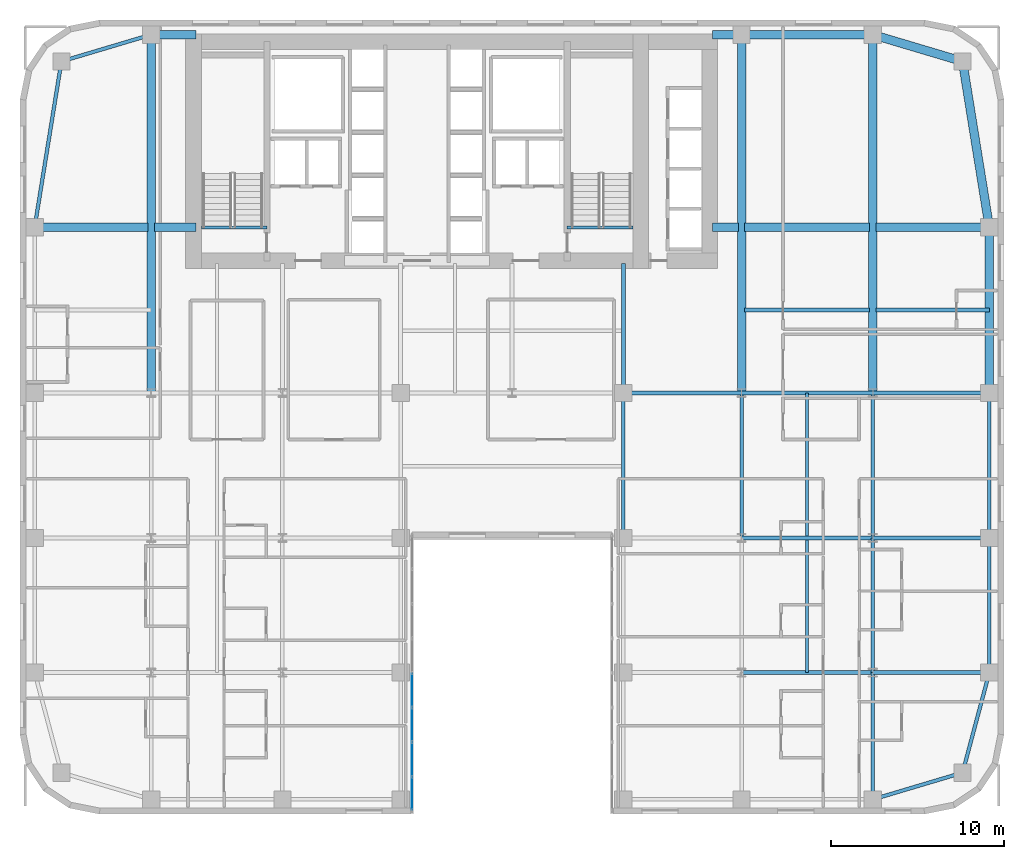
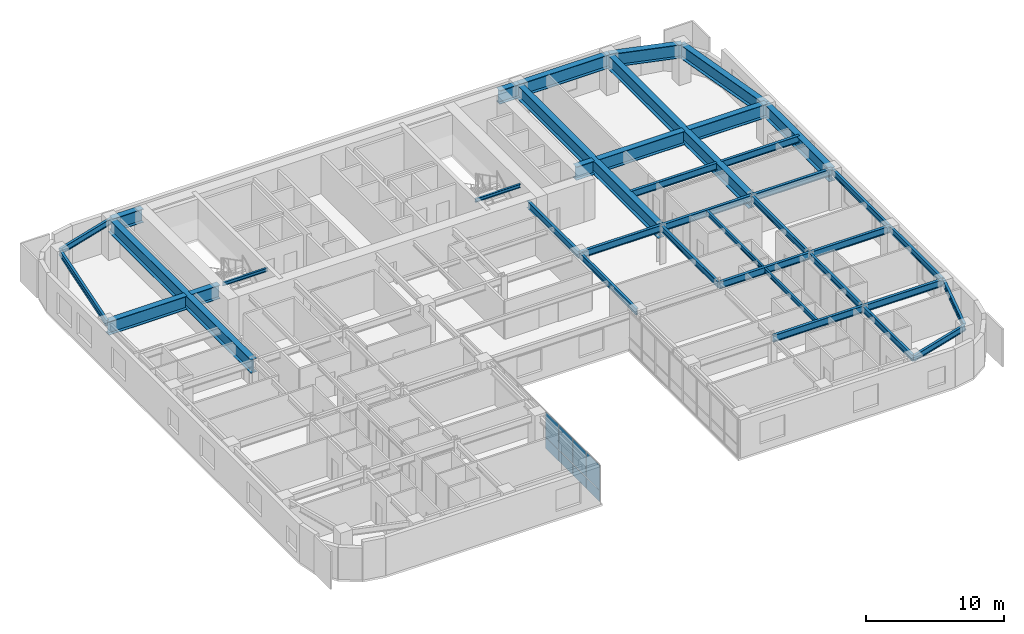
# One storey, part 8 of 17: 39 beams, 8 plates, 1 element without a shape of its own.
"""IFC4 building model written with IfcOpenShell, lengths in metres."""

from ifc_helpers import new_model, si_unit, direction, frame, origin, origin_2d, place, context, subcontext, project, spatial, rectangle, i_section, extrude, source, transform, mapped, material, layer, layer_set, material_profile, profile_set, type_object, type_shapes, element, aggregate, save


model = new_model("IFC4")

# Units and contexts
model_context = context("Model", 3, precision=1e-05, world=origin(), true_north=direction((0.0, 1.0)))
body_context = subcontext(model_context, "Body", "Model", "MODEL_VIEW")
ifc_project = project(units=[si_unit("LENGTHUNIT", "METRE"), si_unit("AREAUNIT", "SQUARE_METRE"), si_unit("VOLUMEUNIT", "CUBIC_METRE"), si_unit("PLANEANGLEUNIT", "RADIAN"), si_unit("MASSUNIT", "GRAM", prefix="KILO")], contexts=[model_context])

# Site, building, storey
site_placement = place(None, origin())
site = spatial("IfcSite", under=ifc_project, at=site_placement, CompositionType="ELEMENT")
building_placement = place(site_placement, origin())
building = spatial("IfcBuilding", under=site, at=building_placement, Name="Tolvann Quenvar Hotel", CompositionType="ELEMENT")
storey_placement = place(building_placement, frame((0.0, 0.0, 42.64990234375)))
storey = spatial("IfcBuildingStorey", under=building, at=storey_placement, Name="L09", CompositionType="ELEMENT", Elevation=42.64990234375)

# Beams
ifc_material_1 = material(Name="Steel Grade 350", Category="steel")
ifc_material_profile_1 = material_profile(ifc_material_1, i_section(OverallWidth=0.5, OverallDepth=1.199951171875, WebThickness=0.01611328125, FlangeThickness=0.0400390625, at=origin_2d()), Name="1200WB455")
ifc_profile_set_1 = profile_set([ifc_material_profile_1], Name="Steel Grade 350")
beam_type_1 = type_object("IfcBeamType", Name="BM_TG_1200WB455", PredefinedType="USERDEFINED", material=ifc_profile_set_1)
shared_shape_1 = source(origin(), body_context, "Body", "SweptSolid", [
    extrude(i_section(OverallWidth=0.5, OverallDepth=1.199951171875, WebThickness=0.01611328125, FlangeThickness=0.0400390625, at=origin_2d()), origin(), (0.0, 0.0, 1.0), 7.599853515625),
])
beam_1_placement = place(storey_placement, frame((49.39990234375, 45.14990234375, 2.77001953125), z_axis=(-1.0, 0.0, 0.0), x_axis=(0.0, -1.0, 0.0)))
element("IfcBeam", 1, at=beam_1_placement, inside=storey, type_object=beam_type_1, Name="BM-L09-FLK-E4", ObjectType="TRANSFER GIRDER", PredefinedType="USERDEFINED", context=body_context, shape_type="MappedRepresentation", body=[
    mapped(shared_shape_1, transform((0.0, 0.0, 0.0), x_axis=(1.0, 0.0, 0.0), y_axis=(0.0, 1.0, 0.0), z_axis=(0.0, 0.0, 1.0), scale=1.0)),
])
shared_shape_2 = source(origin(), body_context, "Body", "SweptSolid", [
    extrude(i_section(OverallWidth=0.5, OverallDepth=1.199951171875, WebThickness=0.01611328125, FlangeThickness=0.0400390625, at=origin_2d()), origin(), (0.0, 0.0, 1.0), 9.60009765625),
])
beam_2_placement = place(storey_placement, frame((56.14990234375, 24.39990234375, 2.77001953125), z_axis=(0.0, 1.0, 0.0), x_axis=(-1.0, 0.0, 0.0)))
element("IfcBeam", 2, at=beam_2_placement, inside=storey, type_object=beam_type_1, Name="BM-L09-FLK-E1", ObjectType="TRANSFER GIRDER", PredefinedType="USERDEFINED", context=body_context, shape_type="MappedRepresentation", body=[
    mapped(shared_shape_2, transform((0.0, 0.0, 0.0), x_axis=(1.0, 0.0, 0.0), y_axis=(0.0, 1.0, 0.0), z_axis=(0.0, 0.0, 1.0), scale=1.0)),
])
ifc_material_profile_2 = material_profile(ifc_material_1, i_section(OverallWidth=0.208984375, OverallDepth=0.528076171875, WebThickness=0.009521484375, FlangeThickness=0.01318359375, FilletRadius=0.013916015625, at=origin_2d()), Name="530UB82")
ifc_profile_set_2 = profile_set([ifc_material_profile_2], Name="Steel Grade 350")
beam_type_2 = type_object("IfcBeamType", Name="BM_SPAND_530UB82", PredefinedType="SPANDREL", material=ifc_profile_set_2)
shared_shape_3 = source(origin(), body_context, "Body", "SweptSolid", [
    extrude(i_section(OverallWidth=0.208984375, OverallDepth=0.528076171875, WebThickness=0.009521484375, FlangeThickness=0.01318359375, FilletRadius=0.013916015625, at=origin_2d()), origin(), (0.0, 0.0, 1.0), 5.42626953125),
])
for number, where, z_axis, x_axis, name in (
    (3, (49.39990234375, 0.85009765625, 3.106201171875), (0.958344815522, 0.285613750654, 0.0), (-0.285613750654, 0.958344815522, 0.0), "BM-L09-EW-2-I2-J2"),
    (4, (2.39990234375, 43.60009765625, 3.106201171875), (0.958344815522, 0.285613750654, 0.0), (-0.285613750654, 0.958344815522, 0.0), "BM-L09-FLK-W3"),
):
    element("IfcBeam", number, at=place(storey_placement, frame(where, z_axis=z_axis, x_axis=x_axis)), inside=storey, type_object=beam_type_2, Name=name, PredefinedType="SPANDREL", context=body_context, shape_type="MappedRepresentation", body=[
        mapped(shared_shape_3, transform((0.0, 0.0, 0.0), x_axis=(1.0, 0.0, 0.0), y_axis=(0.0, 1.0, 0.0), z_axis=(0.0, 0.0, 1.0), scale=1.0)),
    ])
ifc_material_profile_3 = material_profile(ifc_material_1, i_section(OverallWidth=0.22900390625, OverallDepth=0.612060546875, WebThickness=0.011962890625, FlangeThickness=0.01953125, FilletRadius=0.013916015625, at=origin_2d()), Name="610UB125")
ifc_profile_set_3 = profile_set([ifc_material_profile_3], Name="Steel Grade 350")
beam_type_3 = type_object("IfcBeamType", Name="BM_GIRD_610UB125", PredefinedType="BEAM", material=ifc_profile_set_3)
shared_shape_4 = source(origin(), body_context, "Body", "SweptSolid", [
    extrude(i_section(OverallWidth=0.22900390625, OverallDepth=0.612060546875, WebThickness=0.011962890625, FlangeThickness=0.01953125, FilletRadius=0.013916015625, at=origin_2d()), origin(), (0.0, 0.0, 1.0), 6.75),
])
for number, where, z_axis, x_axis, name in (
    (5, (49.39990234375, 8.199951171875, 3.064208984375), (1.0, 0.0, 0.0), (0.0, 1.0, 0.0), "BM-L09-EW-3-I3-J3"),
    (6, (49.39990234375, 16.0, 3.064208984375), (1.0, 0.0, 0.0), (0.0, 1.0, 0.0), "BM-L09-EW-4-I4-J4"),
    (7, (49.39990234375, 24.39990234375, 3.064208984375), (1.0, 0.0, 0.0), (0.0, 1.0, 0.0), "BM-L09-EW-5-I5-J5"),
):
    element("IfcBeam", number, at=place(storey_placement, frame(where, z_axis=z_axis, x_axis=x_axis)), inside=storey, type_object=beam_type_3, Name=name, PredefinedType="BEAM", context=body_context, shape_type="MappedRepresentation", body=[
        mapped(shared_shape_4, transform((0.0, 0.0, 0.0), x_axis=(1.0, 0.0, 0.0), y_axis=(0.0, 1.0, 0.0), z_axis=(0.0, 0.0, 1.0), scale=1.0)),
    ])
shared_shape_5 = source(origin(), body_context, "Body", "SweptSolid", [
    extrude(i_section(OverallWidth=0.22900390625, OverallDepth=0.612060546875, WebThickness=0.011962890625, FlangeThickness=0.01953125, FilletRadius=0.013916015625, at=origin_2d()), origin(), (0.0, 0.0, 1.0), 7.599853515625),
])
for number, where, z_axis, x_axis, name in (
    (8, (41.800048828125, 8.199951171875, 3.064208984375), (1.0, 0.0, 0.0), (0.0, 1.0, 0.0), "BM-L09-EW-3-H3-I3"),
    (9, (41.800048828125, 16.0, 3.064208984375), (1.0, 0.0, 0.0), (0.0, 1.0, 0.0), "BM-L09-EW-4-H4-I4"),
    (10, (41.800048828125, 24.39990234375, 3.064208984375), (1.0, 0.0, 0.0), (0.0, 1.0, 0.0), "BM-L09-EW-5-H5-I5"),
):
    element("IfcBeam", number, at=place(storey_placement, frame(where, z_axis=z_axis, x_axis=x_axis)), inside=storey, type_object=beam_type_3, Name=name, PredefinedType="BEAM", context=body_context, shape_type="MappedRepresentation", body=[
        mapped(shared_shape_5, transform((0.0, 0.0, 0.0), x_axis=(1.0, 0.0, 0.0), y_axis=(0.0, 1.0, 0.0), z_axis=(0.0, 0.0, 1.0), scale=1.0)),
    ])
shared_shape_6 = source(origin(), body_context, "Body", "SweptSolid", [
    extrude(i_section(OverallWidth=0.22900390625, OverallDepth=0.612060546875, WebThickness=0.011962890625, FlangeThickness=0.01953125, FilletRadius=0.013916015625, at=origin_2d()), origin(), (0.0, 0.0, 1.0), 6.85009765625),
])
beam_3_placement = place(storey_placement, frame((34.949951171875, 24.39990234375, 3.064208984375), z_axis=(1.0, 0.0, 0.0), x_axis=(0.0, 1.0, 0.0)))
element("IfcBeam", 11, at=beam_3_placement, inside=storey, type_object=beam_type_3, Name="BM-L09-EW-5-F5-H5", PredefinedType="BEAM", context=body_context, shape_type="MappedRepresentation", body=[
    mapped(shared_shape_6, transform((0.0, 0.0, 0.0), x_axis=(1.0, 0.0, 0.0), y_axis=(0.0, 1.0, 0.0), z_axis=(0.0, 0.0, 1.0), scale=1.0)),
])
shared_shape_7 = source(origin(), body_context, "Body", "SweptSolid", [
    extrude(i_section(OverallWidth=0.208984375, OverallDepth=0.528076171875, WebThickness=0.009521484375, FlangeThickness=0.01318359375, FilletRadius=0.013916015625, at=origin_2d()), origin(), (0.0, 0.0, 1.0), 6.00341796875),
])
beam_4_placement = place(storey_placement, frame((54.60009765625, 2.39990234375, 3.106201171875), z_axis=(0.258148586649, 0.966105225745, 0.0), x_axis=(-0.966105225745, 0.258148586649, 0.0)))
element("IfcBeam", 12, at=beam_4_placement, inside=storey, type_object=beam_type_2, Name="BM-L09-NS-J2-J3", PredefinedType="SPANDREL", context=body_context, shape_type="MappedRepresentation", body=[
    mapped(shared_shape_7, transform((0.0, 0.0, 0.0), x_axis=(1.0, 0.0, 0.0), y_axis=(0.0, 1.0, 0.0), z_axis=(0.0, 0.0, 1.0), scale=1.0)),
])
shared_shape_8 = source(origin(), body_context, "Body", "SweptSolid", [
    extrude(i_section(OverallWidth=0.208984375, OverallDepth=0.528076171875, WebThickness=0.009521484375, FlangeThickness=0.01318359375, FilletRadius=0.013916015625, at=origin_2d()), origin(), (0.0, 0.0, 1.0), 7.800048828125),
])
beam_5_placement = place(storey_placement, frame((56.14990234375, 8.199951171875, 3.106201171875), z_axis=(0.0, 1.0, 0.0), x_axis=(-1.0, 0.0, 0.0)))
element("IfcBeam", 13, at=beam_5_placement, inside=storey, type_object=beam_type_2, Name="BM-L09-NS-J3-J4", PredefinedType="SPANDREL", context=body_context, shape_type="MappedRepresentation", body=[
    mapped(shared_shape_8, transform((0.0, 0.0, 0.0), x_axis=(1.0, 0.0, 0.0), y_axis=(0.0, 1.0, 0.0), z_axis=(0.0, 0.0, 1.0), scale=1.0)),
])
shared_shape_9 = source(origin(), body_context, "Body", "SweptSolid", [
    extrude(i_section(OverallWidth=0.208984375, OverallDepth=0.528076171875, WebThickness=0.009521484375, FlangeThickness=0.01318359375, FilletRadius=0.013916015625, at=origin_2d()), origin(), (0.0, 0.0, 1.0), 8.39990234375),
])
beam_6_placement = place(storey_placement, frame((56.14990234375, 16.0, 3.106201171875), z_axis=(0.0, 1.0, 0.0), x_axis=(-1.0, 0.0, 0.0)))
element("IfcBeam", 14, at=beam_6_placement, inside=storey, type_object=beam_type_2, Name="BM-L09-NS-J4-J5", PredefinedType="SPANDREL", context=body_context, shape_type="MappedRepresentation", body=[
    mapped(shared_shape_9, transform((0.0, 0.0, 0.0), x_axis=(1.0, 0.0, 0.0), y_axis=(0.0, 1.0, 0.0), z_axis=(0.0, 0.0, 1.0), scale=1.0)),
])
ifc_material_profile_4 = material_profile(ifc_material_1, i_section(OverallWidth=0.208984375, OverallDepth=0.532958984375, WebThickness=0.01025390625, FlangeThickness=0.015625, FilletRadius=0.013916015625, at=origin_2d()), Name="530UB92")
ifc_profile_set_4 = profile_set([ifc_material_profile_4], Name="Steel Grade 350")
beam_type_4 = type_object("IfcBeamType", Name="BM_GIRD_530UB92", PredefinedType="BEAM", material=ifc_profile_set_4)
shared_shape_10 = source(origin(), body_context, "Body", "SweptSolid", [
    extrude(i_section(OverallWidth=0.208984375, OverallDepth=0.532958984375, WebThickness=0.01025390625, FlangeThickness=0.015625, FilletRadius=0.013916015625, at=origin_2d()), origin(), (0.0, 0.0, 1.0), 7.349853515625),
])
beam_7_placement = place(storey_placement, frame((49.39990234375, 0.85009765625, 3.103515625), z_axis=(0.0, 1.0, 0.0), x_axis=(-1.0, 0.0, 0.0)))
element("IfcBeam", 15, at=beam_7_placement, inside=storey, type_object=beam_type_4, Name="BM-L09-NS-I2-I3", PredefinedType="BEAM", context=body_context, shape_type="MappedRepresentation", body=[
    mapped(shared_shape_10, transform((0.0, 0.0, 0.0), x_axis=(1.0, 0.0, 0.0), y_axis=(0.0, 1.0, 0.0), z_axis=(0.0, 0.0, 1.0), scale=1.0)),
])
shared_shape_11 = source(origin(), body_context, "Body", "SweptSolid", [
    extrude(i_section(OverallWidth=0.208984375, OverallDepth=0.532958984375, WebThickness=0.01025390625, FlangeThickness=0.015625, FilletRadius=0.013916015625, at=origin_2d()), origin(), (0.0, 0.0, 1.0), 7.800048828125),
])
beam_8_placement = place(storey_placement, frame((49.39990234375, 8.199951171875, 3.103515625), z_axis=(0.0, 1.0, 0.0), x_axis=(-1.0, 0.0, 0.0)))
element("IfcBeam", 16, at=beam_8_placement, inside=storey, type_object=beam_type_4, Name="BM-L09-NS-I3-I4", PredefinedType="BEAM", context=body_context, shape_type="MappedRepresentation", body=[
    mapped(shared_shape_11, transform((0.0, 0.0, 0.0), x_axis=(1.0, 0.0, 0.0), y_axis=(0.0, 1.0, 0.0), z_axis=(0.0, 0.0, 1.0), scale=1.0)),
])
shared_shape_12 = source(origin(), body_context, "Body", "SweptSolid", [
    extrude(i_section(OverallWidth=0.208984375, OverallDepth=0.532958984375, WebThickness=0.01025390625, FlangeThickness=0.015625, FilletRadius=0.013916015625, at=origin_2d()), origin(), (0.0, 0.0, 1.0), 8.39990234375),
])
type_shapes(beam_type_4, [shared_shape_10, shared_shape_11, shared_shape_12])
for number, where, z_axis, x_axis, name in (
    (17, (34.949951171875, 16.0, 3.103515625), (0.0, 1.0, 0.0), (-1.0, 0.0, 0.0), "BM-L09-NS-F4-F5"),
    (18, (41.800048828125, 16.0, 3.103515625), (0.0, 1.0, 0.0), (-1.0, 0.0, 0.0), "BM-L09-NS-H4-H5"),
    (19, (49.39990234375, 16.0, 3.103515625), (0.0, 1.0, 0.0), (-1.0, 0.0, 0.0), "BM-L09-NS-I4-I5"),
):
    element("IfcBeam", number, at=place(storey_placement, frame(where, z_axis=z_axis, x_axis=x_axis)), inside=storey, type_object=beam_type_4, Name=name, PredefinedType="BEAM", context=body_context, shape_type="MappedRepresentation", body=[
        mapped(shared_shape_12, transform((0.0, 0.0, 0.0), x_axis=(1.0, 0.0, 0.0), y_axis=(0.0, 1.0, 0.0), z_axis=(0.0, 0.0, 1.0), scale=1.0)),
    ])
shared_shape_13 = source(origin(), body_context, "Body", "SweptSolid", [
    extrude(i_section(OverallWidth=0.22900390625, OverallDepth=0.612060546875, WebThickness=0.011962890625, FlangeThickness=0.01953125, FilletRadius=0.013916015625, at=origin_2d()), origin(), (0.0, 0.0, 1.0), 7.5),
])
beam_9_placement = place(storey_placement, frame((34.949951171875, 24.39990234375, 3.064208984375), z_axis=(0.0, 1.0, 0.0), x_axis=(-1.0, 0.0, 0.0)))
element("IfcBeam", 20, at=beam_9_placement, inside=storey, type_object=beam_type_3, Name="BM-L09-CORE-F5", PredefinedType="BEAM", context=body_context, shape_type="MappedRepresentation", body=[
    mapped(shared_shape_13, transform((0.0, 0.0, 0.0), x_axis=(1.0, 0.0, 0.0), y_axis=(0.0, 1.0, 0.0), z_axis=(0.0, 0.0, 1.0), scale=1.0)),
])
shared_shape_14 = source(origin(), body_context, "Body", "SweptSolid", [
    extrude(i_section(OverallWidth=0.208984375, OverallDepth=0.528076171875, WebThickness=0.009521484375, FlangeThickness=0.01318359375, FilletRadius=0.013916015625, at=origin_2d()), origin(), (0.0, 0.0, 1.0), 9.724365234375),
])
type_shapes(beam_type_2, [shared_shape_3, shared_shape_7, shared_shape_8, shared_shape_9, shared_shape_14])
beam_10_placement = place(storey_placement, frame((0.85009765625, 34.0, 3.106201171875), z_axis=(0.159372939192, 0.987218449105, 0.0), x_axis=(-0.987218449105, 0.159372939192, 0.0)))
element("IfcBeam", 21, at=beam_10_placement, inside=storey, type_object=beam_type_2, Name="BM-L09-FLK-W2", PredefinedType="SPANDREL", context=body_context, shape_type="MappedRepresentation", body=[
    mapped(shared_shape_14, transform((0.0, 0.0, 0.0), x_axis=(1.0, 0.0, 0.0), y_axis=(0.0, 1.0, 0.0), z_axis=(0.0, 0.0, 1.0), scale=1.0)),
])
shared_shape_15 = source(origin(), body_context, "Body", "SweptSolid", [
    extrude(i_section(OverallWidth=0.5, OverallDepth=1.199951171875, WebThickness=0.01611328125, FlangeThickness=0.0400390625, at=origin_2d()), origin(), (0.0, 0.0, 1.0), 20.75),
])
for number, where, z_axis, x_axis, name in (
    (22, (7.60009765625, 24.39990234375, 2.77001953125), (0.0, 1.0, 0.0), (-1.0, 0.0, 0.0), "BM-L09-FLK-WC"),
    (23, (41.800048828125, 24.39990234375, 2.77001953125), (0.0, 1.0, 0.0), (-1.0, 0.0, 0.0), "BM-L09-FLK-EH"),
    (24, (49.39990234375, 24.39990234375, 2.77001953125), (0.0, 1.0, 0.0), (-1.0, 0.0, 0.0), "BM-L09-FLK-EI"),
):
    element("IfcBeam", number, at=place(storey_placement, frame(where, z_axis=z_axis, x_axis=x_axis)), inside=storey, type_object=beam_type_1, Name=name, ObjectType="TRANSFER GIRDER", PredefinedType="USERDEFINED", context=body_context, shape_type="MappedRepresentation", body=[
        mapped(shared_shape_15, transform((0.0, 0.0, 0.0), x_axis=(1.0, 0.0, 0.0), y_axis=(0.0, 1.0, 0.0), z_axis=(0.0, 0.0, 1.0), scale=1.0)),
    ])
shared_shape_16 = source(origin(), body_context, "Body", "SweptSolid", [
    extrude(i_section(OverallWidth=0.5, OverallDepth=1.199951171875, WebThickness=0.01611328125, FlangeThickness=0.0400390625, at=origin_2d()), origin(), (0.0, 0.0, 1.0), 6.56982421875),
])
for number, where, z_axis, x_axis, name in (
    (25, (0.85009765625, 34.0, 2.77001953125), (1.0, 0.0, 0.0), (0.0, 1.0, 0.0), "BM-L09-CTW-MID1"),
    (26, (49.580078125, 34.0, 2.77001953125), (1.0, 0.0, 0.0), (0.0, 1.0, 0.0), "BM-L09-CTE-JD6C"),
):
    element("IfcBeam", number, at=place(storey_placement, frame(where, z_axis=z_axis, x_axis=x_axis)), inside=storey, type_object=beam_type_1, Name=name, ObjectType="TRANSFER GIRDER", PredefinedType="USERDEFINED", context=body_context, shape_type="MappedRepresentation", body=[
        mapped(shared_shape_16, transform((0.0, 0.0, 0.0), x_axis=(1.0, 0.0, 0.0), y_axis=(0.0, 1.0, 0.0), z_axis=(0.0, 0.0, 1.0), scale=1.0)),
    ])
shared_shape_17 = source(origin(), body_context, "Body", "SweptSolid", [
    extrude(i_section(OverallWidth=0.5, OverallDepth=1.199951171875, WebThickness=0.01611328125, FlangeThickness=0.0400390625, at=origin_2d()), origin(), (0.0, 0.0, 1.0), 2.419921875),
])
beam_11_placement = place(storey_placement, frame((7.780029296875, 34.0, 2.77001953125), z_axis=(1.0, 0.0, 0.0), x_axis=(0.0, 1.0, 0.0)))
element("IfcBeam", 27, at=beam_11_placement, inside=storey, type_object=beam_type_1, Name="BM-L09-CTW-MID2", ObjectType="TRANSFER GIRDER", PredefinedType="USERDEFINED", context=body_context, shape_type="MappedRepresentation", body=[
    mapped(shared_shape_17, transform((0.0, 0.0, 0.0), x_axis=(1.0, 0.0, 0.0), y_axis=(0.0, 1.0, 0.0), z_axis=(0.0, 0.0, 1.0), scale=1.0)),
])
shared_shape_18 = source(origin(), body_context, "Body", "SweptSolid", [
    extrude(i_section(OverallWidth=0.5, OverallDepth=1.199951171875, WebThickness=0.01611328125, FlangeThickness=0.0400390625, at=origin_2d()), origin(), (0.0, 0.0, 1.0), 2.599853515625),
])
beam_12_placement = place(storey_placement, frame((7.60009765625, 45.14990234375, 2.77001953125), z_axis=(1.0, 0.0, 0.0), x_axis=(0.0, 1.0, 0.0)))
element("IfcBeam", 28, at=beam_12_placement, inside=storey, type_object=beam_type_1, Name="BM-L09-CTW-CN", ObjectType="TRANSFER GIRDER", PredefinedType="USERDEFINED", context=body_context, shape_type="MappedRepresentation", body=[
    mapped(shared_shape_18, transform((0.0, 0.0, 0.0), x_axis=(1.0, 0.0, 0.0), y_axis=(0.0, 1.0, 0.0), z_axis=(0.0, 0.0, 1.0), scale=1.0)),
])
shared_shape_19 = source(origin(), body_context, "Body", "SweptSolid", [
    extrude(i_section(OverallWidth=0.5, OverallDepth=1.199951171875, WebThickness=0.01611328125, FlangeThickness=0.0400390625, at=origin_2d()), origin(), (0.0, 0.0, 1.0), 9.724365234375),
])
beam_13_placement = place(storey_placement, frame((56.14990234375, 34.0, 2.77001953125), z_axis=(-0.159372939192, 0.987218449105, 0.0), x_axis=(-0.987218449105, -0.159372939192, 0.0)))
element("IfcBeam", 29, at=beam_13_placement, inside=storey, type_object=beam_type_1, Name="BM-L09-FLK-E2", ObjectType="TRANSFER GIRDER", PredefinedType="USERDEFINED", context=body_context, shape_type="MappedRepresentation", body=[
    mapped(shared_shape_19, transform((0.0, 0.0, 0.0), x_axis=(1.0, 0.0, 0.0), y_axis=(0.0, 1.0, 0.0), z_axis=(0.0, 0.0, 1.0), scale=1.0)),
])
shared_shape_20 = source(origin(), body_context, "Body", "SweptSolid", [
    extrude(i_section(OverallWidth=0.5, OverallDepth=1.199951171875, WebThickness=0.01611328125, FlangeThickness=0.0400390625, at=origin_2d()), origin(), (0.0, 0.0, 1.0), 5.42626953125),
])
beam_14_placement = place(storey_placement, frame((54.60009765625, 43.60009765625, 2.77001953125), z_axis=(-0.958344815522, 0.285613750654, 0.0), x_axis=(-0.285613750654, -0.958344815522, 0.0)))
element("IfcBeam", 30, at=beam_14_placement, inside=storey, type_object=beam_type_1, Name="BM-L09-FLK-E3", ObjectType="TRANSFER GIRDER", PredefinedType="USERDEFINED", context=body_context, shape_type="MappedRepresentation", body=[
    mapped(shared_shape_20, transform((0.0, 0.0, 0.0), x_axis=(1.0, 0.0, 0.0), y_axis=(0.0, 1.0, 0.0), z_axis=(0.0, 0.0, 1.0), scale=1.0)),
])
shared_shape_21 = source(origin(), body_context, "Body", "SweptSolid", [
    extrude(i_section(OverallWidth=0.5, OverallDepth=1.199951171875, WebThickness=0.01611328125, FlangeThickness=0.0400390625, at=origin_2d()), origin(), (0.0, 0.0, 1.0), 1.699951171875),
])
beam_15_placement = place(storey_placement, frame((40.10009765625, 45.14990234375, 2.77001953125), z_axis=(1.0, 0.0, 0.0), x_axis=(0.0, 1.0, 0.0)))
element("IfcBeam", 31, at=beam_15_placement, inside=storey, type_object=beam_type_1, Name="BM-L09-CTE-HN", ObjectType="TRANSFER GIRDER", PredefinedType="USERDEFINED", context=body_context, shape_type="MappedRepresentation", body=[
    mapped(shared_shape_21, transform((0.0, 0.0, 0.0), x_axis=(1.0, 0.0, 0.0), y_axis=(0.0, 1.0, 0.0), z_axis=(0.0, 0.0, 1.0), scale=1.0)),
])
shared_shape_22 = source(origin(), body_context, "Body", "SweptSolid", [
    extrude(i_section(OverallWidth=0.5, OverallDepth=1.199951171875, WebThickness=0.01611328125, FlangeThickness=0.0400390625, at=origin_2d()), origin(), (0.0, 0.0, 1.0), 1.52001953125),
])
beam_16_placement = place(storey_placement, frame((40.10009765625, 34.0, 2.77001953125), z_axis=(1.0, 0.0, 0.0), x_axis=(0.0, 1.0, 0.0)))
element("IfcBeam", 32, at=beam_16_placement, inside=storey, type_object=beam_type_1, Name="BM-L09-CTE-JD6A", ObjectType="TRANSFER GIRDER", PredefinedType="USERDEFINED", context=body_context, shape_type="MappedRepresentation", body=[
    mapped(shared_shape_22, transform((0.0, 0.0, 0.0), x_axis=(1.0, 0.0, 0.0), y_axis=(0.0, 1.0, 0.0), z_axis=(0.0, 0.0, 1.0), scale=1.0)),
])
shared_shape_23 = source(origin(), body_context, "Body", "SweptSolid", [
    extrude(i_section(OverallWidth=0.5, OverallDepth=1.199951171875, WebThickness=0.01611328125, FlangeThickness=0.0400390625, at=origin_2d()), origin(), (0.0, 0.0, 1.0), 7.239990234375),
])
type_shapes(beam_type_1, [shared_shape_1, shared_shape_2, shared_shape_15, shared_shape_16, shared_shape_17, shared_shape_18, shared_shape_19, shared_shape_20, shared_shape_21, shared_shape_22, shared_shape_23])
beam_17_placement = place(storey_placement, frame((41.97998046875, 34.0, 2.77001953125), z_axis=(1.0, 0.0, 0.0), x_axis=(0.0, 1.0, 0.0)))
element("IfcBeam", 33, at=beam_17_placement, inside=storey, type_object=beam_type_1, Name="BM-L09-CTE-JD6B", ObjectType="TRANSFER GIRDER", PredefinedType="USERDEFINED", context=body_context, shape_type="MappedRepresentation", body=[
    mapped(shared_shape_23, transform((0.0, 0.0, 0.0), x_axis=(1.0, 0.0, 0.0), y_axis=(0.0, 1.0, 0.0), z_axis=(0.0, 0.0, 1.0), scale=1.0)),
])
shared_shape_24 = source(origin(), body_context, "Body", "SweptSolid", [
    extrude(i_section(OverallWidth=0.22900390625, OverallDepth=0.612060546875, WebThickness=0.011962890625, FlangeThickness=0.01953125, FilletRadius=0.013916015625, at=origin_2d()), origin(), (0.0, 0.0, 1.0), 7.239990234375),
])
beam_18_placement = place(storey_placement, frame((41.97998046875, 29.199951171875, 3.064208984375), z_axis=(1.0, 0.0, 0.0), x_axis=(0.0, 1.0, 0.0)))
element("IfcBeam", 34, at=beam_18_placement, inside=storey, type_object=beam_type_3, Name="BM-L09-EW-HI29", PredefinedType="BEAM", context=body_context, shape_type="MappedRepresentation", body=[
    mapped(shared_shape_24, transform((0.0, 0.0, 0.0), x_axis=(1.0, 0.0, 0.0), y_axis=(0.0, 1.0, 0.0), z_axis=(0.0, 0.0, 1.0), scale=1.0)),
])
shared_shape_25 = source(origin(), body_context, "Body", "SweptSolid", [
    extrude(i_section(OverallWidth=0.22900390625, OverallDepth=0.612060546875, WebThickness=0.011962890625, FlangeThickness=0.01953125, FilletRadius=0.013916015625, at=origin_2d()), origin(), (0.0, 0.0, 1.0), 6.56982421875),
])
type_shapes(beam_type_3, [shared_shape_4, shared_shape_5, shared_shape_6, shared_shape_13, shared_shape_24, shared_shape_25])
beam_19_placement = place(storey_placement, frame((49.580078125, 29.199951171875, 3.064208984375), z_axis=(1.0, 0.0, 0.0), x_axis=(0.0, 1.0, 0.0)))
element("IfcBeam", 35, at=beam_19_placement, inside=storey, type_object=beam_type_3, Name="BM-L09-EW-IJ29", PredefinedType="BEAM", context=body_context, shape_type="MappedRepresentation", body=[
    mapped(shared_shape_25, transform((0.0, 0.0, 0.0), x_axis=(1.0, 0.0, 0.0), y_axis=(0.0, 1.0, 0.0), z_axis=(0.0, 0.0, 1.0), scale=1.0)),
])
ifc_material_profile_5 = material_profile(ifc_material_1, i_section(OverallWidth=0.177978515625, OverallDepth=0.406005859375, WebThickness=0.0078125, FlangeThickness=0.0126953125, FilletRadius=0.011474609375, at=origin_2d()), Name="410UB60")
ifc_profile_set_5 = profile_set([ifc_material_profile_5], Name="Steel Grade 350")
beam_type_5 = type_object("IfcBeamType", Name="BM_JOIST_410UB60", PredefinedType="JOIST", material=ifc_profile_set_5)
shared_shape_26 = source(origin(), body_context, "Body", "SweptSolid", [
    extrude(i_section(OverallWidth=0.177978515625, OverallDepth=0.406005859375, WebThickness=0.0078125, FlangeThickness=0.0126953125, FilletRadius=0.011474609375, at=origin_2d()), origin(), (0.0, 0.0, 1.0), 7.691650390625),
])
beam_20_placement = place(storey_placement, frame((45.60009765625, 8.199951171875, 3.1669921875), z_axis=(0.0, 1.0, 0.0), x_axis=(-1.0, 0.0, 0.0)))
element("IfcBeam", 36, at=beam_20_placement, inside=storey, type_object=beam_type_5, Name="BJ-L09-456-82", PredefinedType="JOIST", context=body_context, shape_type="MappedRepresentation", body=[
    mapped(shared_shape_26, transform((0.0, 0.0, 0.0), x_axis=(1.0, 0.0, 0.0), y_axis=(0.0, 1.0, 0.0), z_axis=(0.0, 0.0, 1.0), scale=1.0)),
])
shared_shape_27 = source(origin(), body_context, "Body", "SweptSolid", [
    extrude(i_section(OverallWidth=0.177978515625, OverallDepth=0.406005859375, WebThickness=0.0078125, FlangeThickness=0.0126953125, FilletRadius=0.011474609375, at=origin_2d()), origin(), (0.0, 0.0, 1.0), 8.29150390625),
])
type_shapes(beam_type_5, [shared_shape_26, shared_shape_27])
beam_21_placement = place(storey_placement, frame((45.60009765625, 16.1083984375, 3.1669921875), z_axis=(0.0, 1.0, 0.0), x_axis=(-1.0, 0.0, 0.0)))
element("IfcBeam", 37, at=beam_21_placement, inside=storey, type_object=beam_type_5, Name="BJ-L09-456-160", PredefinedType="JOIST", context=body_context, shape_type="MappedRepresentation", body=[
    mapped(shared_shape_27, transform((0.0, 0.0, 0.0), x_axis=(1.0, 0.0, 0.0), y_axis=(0.0, 1.0, 0.0), z_axis=(0.0, 0.0, 1.0), scale=1.0)),
])
ifc_material_profile_6 = material_profile(ifc_material_1, i_section(OverallWidth=0.166015625, OverallDepth=0.306884765625, WebThickness=0.006591796875, FlangeThickness=0.01171875, FilletRadius=0.011474609375, at=origin_2d()), Name="310UB46")
ifc_profile_set_6 = profile_set([ifc_material_profile_6], Name="Steel Grade 350")
beam_type_6 = type_object("IfcBeamType", Name="BM_JOIST_310UB46", PredefinedType="JOIST", material=ifc_profile_set_6)
shared_shape_28 = source(origin(), body_context, "Body", "SweptSolid", [
    extrude(i_section(OverallWidth=0.166015625, OverallDepth=0.306884765625, WebThickness=0.006591796875, FlangeThickness=0.01171875, FilletRadius=0.011474609375, at=origin_2d()), origin(), (0.0, 0.0, 1.0), 3.800048828125),
])
type_shapes(beam_type_6, [shared_shape_28])
for number, where, z_axis, x_axis, name in (
    (38, (10.5, 33.97998046875, 3.216552734375), (1.0, 0.0, 0.0), (0.0, 1.0, 0.0), "BM-HDR-STC1-L10"),
    (39, (31.699951171875, 33.97998046875, 3.216552734375), (1.0, 0.0, 0.0), (0.0, 1.0, 0.0), "BM-HDR-STC2-L10"),
):
    element("IfcBeam", number, at=place(storey_placement, frame(where, z_axis=z_axis, x_axis=x_axis)), inside=storey, type_object=beam_type_6, Name=name, PredefinedType="JOIST", context=body_context, shape_type="MappedRepresentation", body=[
        mapped(shared_shape_28, transform((0.0, 0.0, 0.0), x_axis=(1.0, 0.0, 0.0), y_axis=(0.0, 1.0, 0.0), z_axis=(0.0, 0.0, 1.0), scale=1.0)),
    ])

# Curtain wall, plates
ifc_material_2 = material(Name="Thermally broken anodised architectural aluminium 6063-T6 and laminated low-E glass", Category="aluminium")
ifc_layer_1 = layer(ifc_material_2, 0.179931640625)
ifc_layer_set_1 = layer_set([ifc_layer_1], Name="Thermally broken anodised architectural aluminium 6063-T6 and laminated low-E glass")
curtain_wall_type = type_object("IfcCurtainWallType", Name="CW_SYS_SLOT_03", PredefinedType="USERDEFINED", material=ifc_layer_set_1)
curtain_wall_placement = place(storey_placement, origin())
curtain_wall = element("IfcCurtainWall", 40, at=curtain_wall_placement, inside=storey, type_object=curtain_wall_type, Name="Curtain Wall CW-SLOT-03 (CWR-L09-E05)", ObjectType="UNITISED CURTAIN WALL", PredefinedType="USERDEFINED")
ifc_material_3 = material(Name="Low-iron laminated double glazing with solar-control coating", Category="glass")
ifc_layer_2 = layer(ifc_material_3, 0.028076171875)
ifc_layer_set_2 = layer_set([ifc_layer_2], Name="Low-iron laminated double glazing with solar-control coating")
plate_type = type_object("IfcPlateType", Name="CW_PAN_VISION_28", PredefinedType="CURTAIN_PANEL", material=ifc_layer_set_2)
shared_shape_29 = source(origin(), body_context, "Body", "SweptSolid", [
    extrude(rectangle(XDim=1.89501953125, YDim=0.028076171875, at=origin_2d()), origin(), (0.0, 0.0, 1.0), 0.9599609375),
])
plate_1_placement = place(storey_placement, frame((22.7099609375, 1.1923828125, 0.06005859375), z_axis=(0.0, 0.0, 1.0), x_axis=(0.0, 1.0, 0.0)))
plate_1 = element("IfcPlate", 41, at=plate_1_placement, type_object=plate_type, Name="CW-SLOT-03 panel 1.1", PredefinedType="CURTAIN_PANEL", context=body_context, shape_type="MappedRepresentation", body=[
    mapped(shared_shape_29, transform((0.0, 0.0, 0.0), x_axis=(1.0, 0.0, 0.0), y_axis=(0.0, 1.0, 0.0), z_axis=(0.0, 0.0, 1.0), scale=1.0)),
])
shared_shape_30 = source(origin(), body_context, "Body", "SweptSolid", [
    extrude(rectangle(XDim=1.89501953125, YDim=0.028076171875, at=origin_2d()), origin(), (0.0, 0.0, 1.0), 2.22998046875),
])
plate_2_placement = place(storey_placement, frame((22.7099609375, 1.1923828125, 1.080078125), z_axis=(0.0, 0.0, 1.0), x_axis=(0.0, 1.0, 0.0)))
plate_2 = element("IfcPlate", 42, at=plate_2_placement, type_object=plate_type, Name="CW-SLOT-03 panel 1.2", PredefinedType="CURTAIN_PANEL", context=body_context, shape_type="MappedRepresentation", body=[
    mapped(shared_shape_30, transform((0.0, 0.0, 0.0), x_axis=(1.0, 0.0, 0.0), y_axis=(0.0, 1.0, 0.0), z_axis=(0.0, 0.0, 1.0), scale=1.0)),
])
shared_shape_31 = source(origin(), body_context, "Body", "SweptSolid", [
    extrude(rectangle(XDim=1.929931640625, YDim=0.028076171875, at=origin_2d()), origin(), (0.0, 0.0, 1.0), 0.9599609375),
])
plate_3_placement = place(storey_placement, frame((22.7099609375, 3.175048828125, 0.06005859375), z_axis=(0.0, 0.0, 1.0), x_axis=(0.0, 1.0, 0.0)))
plate_3 = element("IfcPlate", 43, at=plate_3_placement, type_object=plate_type, Name="CW-SLOT-03 panel 2.1", PredefinedType="CURTAIN_PANEL", context=body_context, shape_type="MappedRepresentation", body=[
    mapped(shared_shape_31, transform((0.0, 0.0, 0.0), x_axis=(1.0, 0.0, 0.0), y_axis=(0.0, 1.0, 0.0), z_axis=(0.0, 0.0, 1.0), scale=1.0)),
])
plate_4_placement = place(storey_placement, frame((22.7099609375, 5.175048828125, 0.06005859375), z_axis=(0.0, 0.0, 1.0), x_axis=(0.0, 1.0, 0.0)))
plate_4 = element("IfcPlate", 44, at=plate_4_placement, type_object=plate_type, Name="CW-SLOT-03 panel 3.1", PredefinedType="CURTAIN_PANEL", context=body_context, shape_type="MappedRepresentation", body=[
    mapped(shared_shape_31, transform((0.0, 0.0, 0.0), x_axis=(1.0, 0.0, 0.0), y_axis=(0.0, 1.0, 0.0), z_axis=(0.0, 0.0, 1.0), scale=1.0)),
])
plate_5_placement = place(storey_placement, frame((22.7099609375, 7.175048828125, 0.06005859375), z_axis=(0.0, 0.0, 1.0), x_axis=(0.0, 1.0, 0.0)))
plate_5 = element("IfcPlate", 45, at=plate_5_placement, type_object=plate_type, Name="CW-SLOT-03 panel 4.1", PredefinedType="CURTAIN_PANEL", context=body_context, shape_type="MappedRepresentation", body=[
    mapped(shared_shape_31, transform((0.0, 0.0, 0.0), x_axis=(1.0, 0.0, 0.0), y_axis=(0.0, 1.0, 0.0), z_axis=(0.0, 0.0, 1.0), scale=1.0)),
])
shared_shape_32 = source(origin(), body_context, "Body", "SweptSolid", [
    extrude(rectangle(XDim=1.929931640625, YDim=0.028076171875, at=origin_2d()), origin(), (0.0, 0.0, 1.0), 2.22998046875),
])
type_shapes(plate_type, [shared_shape_29, shared_shape_30, shared_shape_31, shared_shape_32])
plate_6_placement = place(storey_placement, frame((22.7099609375, 3.175048828125, 1.080078125), z_axis=(0.0, 0.0, 1.0), x_axis=(0.0, 1.0, 0.0)))
plate_6 = element("IfcPlate", 46, at=plate_6_placement, type_object=plate_type, Name="CW-SLOT-03 panel 2.2", PredefinedType="CURTAIN_PANEL", context=body_context, shape_type="MappedRepresentation", body=[
    mapped(shared_shape_32, transform((0.0, 0.0, 0.0), x_axis=(1.0, 0.0, 0.0), y_axis=(0.0, 1.0, 0.0), z_axis=(0.0, 0.0, 1.0), scale=1.0)),
])
plate_7_placement = place(storey_placement, frame((22.7099609375, 5.175048828125, 1.080078125), z_axis=(0.0, 0.0, 1.0), x_axis=(0.0, 1.0, 0.0)))
plate_7 = element("IfcPlate", 47, at=plate_7_placement, type_object=plate_type, Name="CW-SLOT-03 panel 3.2", PredefinedType="CURTAIN_PANEL", context=body_context, shape_type="MappedRepresentation", body=[
    mapped(shared_shape_32, transform((0.0, 0.0, 0.0), x_axis=(1.0, 0.0, 0.0), y_axis=(0.0, 1.0, 0.0), z_axis=(0.0, 0.0, 1.0), scale=1.0)),
])
plate_8_placement = place(storey_placement, frame((22.7099609375, 7.175048828125, 1.080078125), z_axis=(0.0, 0.0, 1.0), x_axis=(0.0, 1.0, 0.0)))
plate_8 = element("IfcPlate", 48, at=plate_8_placement, type_object=plate_type, Name="CW-SLOT-03 panel 4.2", PredefinedType="CURTAIN_PANEL", context=body_context, shape_type="MappedRepresentation", body=[
    mapped(shared_shape_32, transform((0.0, 0.0, 0.0), x_axis=(1.0, 0.0, 0.0), y_axis=(0.0, 1.0, 0.0), z_axis=(0.0, 0.0, 1.0), scale=1.0)),
])
aggregate(curtain_wall, [plate_1, plate_2, plate_3, plate_6, plate_4, plate_7, plate_5, plate_8])

save(model, "model.ifc")
